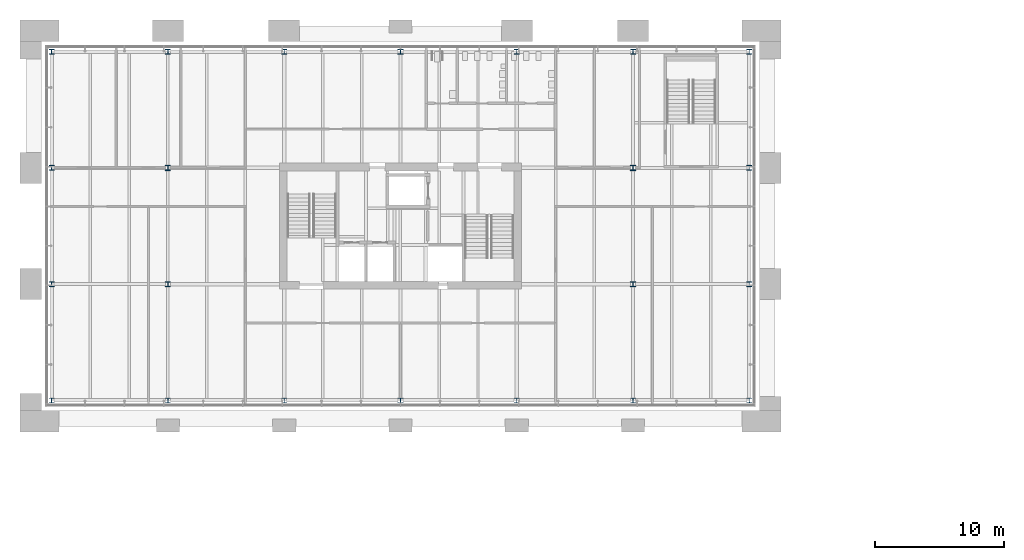
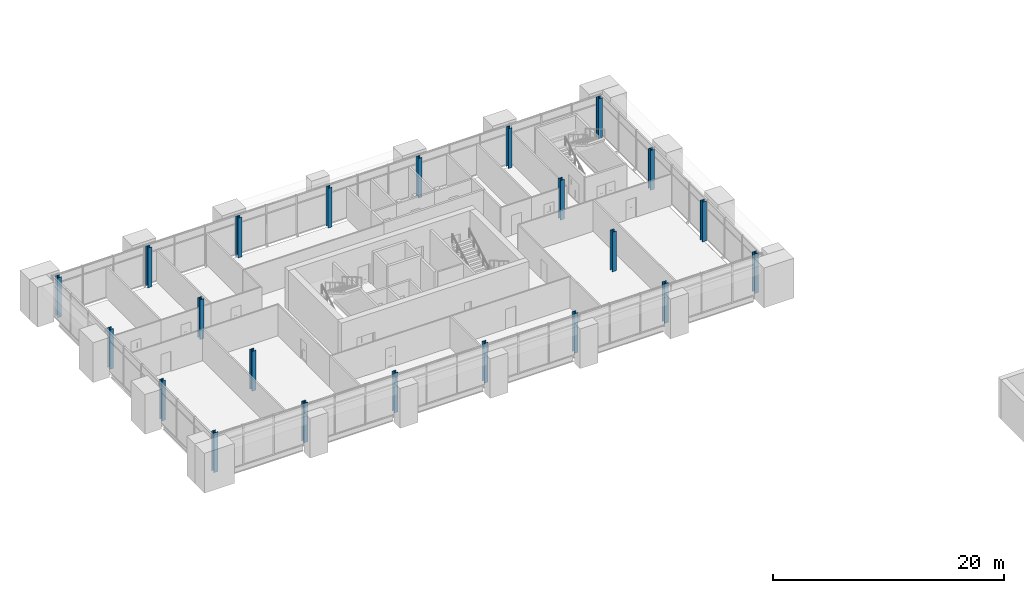
# One storey, part 2 of 43: 22 columns.
"""IFC4 building model written with IfcOpenShell, lengths in metres."""

from ifc_helpers import new_model, si_unit, direction, frame, origin, origin_2d, place, context, subcontext, project, spatial, i_section, extrude, material, material_profile, profile_set, type_object, element, save


model = new_model("IFC4")

# Units and contexts
model_context = context("Model", 3, precision=1e-05, world=origin(), true_north=direction((0.0, 1.0)))
body_context = subcontext(model_context, "Body", "Model", "MODEL_VIEW")
ifc_project = project(units=[si_unit("LENGTHUNIT", "METRE"), si_unit("AREAUNIT", "SQUARE_METRE"), si_unit("VOLUMEUNIT", "CUBIC_METRE"), si_unit("PLANEANGLEUNIT", "RADIAN"), si_unit("MASSUNIT", "GRAM", prefix="KILO")], contexts=[model_context])

# Site, building, storey
site_placement = place(None, origin())
site = spatial("IfcSite", under=ifc_project, at=site_placement, CompositionType="ELEMENT")
building_placement = place(site_placement, origin())
building = spatial("IfcBuilding", under=site, at=building_placement, Name="Baradari Gate Terminus", CompositionType="ELEMENT")
storey_placement = place(building_placement, frame((0.0, 0.0, 20.10009765625)))
storey = spatial("IfcBuildingStorey", under=building, at=storey_placement, Name="L04", CompositionType="ELEMENT", Elevation=20.10009765625)

# Columns
ifc_material_1 = material(Name="Steel S355", Category="steel")
ifc_material_profile_1 = material_profile(ifc_material_1, i_section(OverallWidth=0.403076171875, OverallDepth=0.406494140625, WebThickness=0.026611328125, FlangeThickness=0.04296875, FilletRadius=0.01513671875, at=origin_2d()), Name="UC 356x406x340")
ifc_profile_set_1 = profile_set([ifc_material_profile_1], Name="Steel S355")
column_type_1 = type_object("IfcColumnType", Name="Operations block column C19 UC 356x406x340", PredefinedType="COLUMN", material=ifc_profile_set_1)
for number, where, z_axis, x_axis, name in (
    (1, (18.0, 126.0, 0.0), (0.0, 0.0, 1.0), (1.0, 0.0, 0.0), "C19 column 3-Q L04"),
    (2, (18.0, 135.0, 0.0), (0.0, 0.0, 1.0), (1.0, 0.0, 0.0), "C19 column 3-R L04"),
    (3, (54.0, 126.0, 0.0), (0.0, 0.0, 1.0), (1.0, 0.0, 0.0), "C19 column 7-Q L04"),
    (4, (54.0, 135.0, 0.0), (0.0, 0.0, 1.0), (1.0, 0.0, 0.0), "C19 column 7-R L04"),
):
    element("IfcColumn", number, at=place(storey_placement, frame(where, z_axis=z_axis, x_axis=x_axis)), inside=storey, type_object=column_type_1, Name=name, PredefinedType="COLUMN", context=body_context, shape_type="SweptSolid", body=[
        extrude(i_section(OverallWidth=0.403076171875, OverallDepth=0.406494140625, WebThickness=0.026611328125, FlangeThickness=0.04296875, FilletRadius=0.01513671875, at=origin_2d()), origin(), (0.0, 0.0, 1.0), 4.199951171875),
    ])
ifc_material_2 = material(Name="Steel S355", Category="steel")
ifc_material_profile_2 = material_profile(ifc_material_2, i_section(OverallWidth=0.394775390625, OverallDepth=0.381103515625, WebThickness=0.018310546875, FlangeThickness=0.0302734375, FilletRadius=0.01513671875, at=origin_2d()), Name="UC 356x406x235")
ifc_profile_set_2 = profile_set([ifc_material_profile_2], Name="Steel S355")
column_type_2 = type_object("IfcColumnType", Name="Operations block perimeter column C18 UC 356x406x235", PredefinedType="COLUMN", material=ifc_profile_set_2)
for number, where, z_axis, x_axis, name in (
    (5, (9.0, 117.0, 0.0), (0.0, 0.0, 1.0), (1.0, 0.0, 0.0), "C18 column 2-P L04"),
    (6, (9.0, 126.0, 0.0), (0.0, 0.0, 1.0), (1.0, 0.0, 0.0), "C18 column 2-Q L04"),
    (7, (9.0, 135.0, 0.0), (0.0, 0.0, 1.0), (1.0, 0.0, 0.0), "C18 column 2-R L04"),
    (8, (9.0, 144.0, 0.0), (0.0, 0.0, 1.0), (1.0, 0.0, 0.0), "C18 column 2-S L04"),
    (9, (18.0, 117.0, 0.0), (0.0, 0.0, 1.0), (1.0, 0.0, 0.0), "C18 column 3-P L04"),
    (10, (18.0, 144.0, 0.0), (0.0, 0.0, 1.0), (1.0, 0.0, 0.0), "C18 column 3-S L04"),
    (11, (27.0, 117.0, 0.0), (0.0, 0.0, 1.0), (1.0, 0.0, 0.0), "C18 column 4-P L04"),
    (12, (27.0, 144.0, 0.0), (0.0, 0.0, 1.0), (1.0, 0.0, 0.0), "C18 column 4-S L04"),
    (13, (36.0, 117.0, 0.0), (0.0, 0.0, 1.0), (1.0, 0.0, 0.0), "C18 column 5-P L04"),
    (14, (36.0, 144.0, 0.0), (0.0, 0.0, 1.0), (1.0, 0.0, 0.0), "C18 column 5-S L04"),
    (15, (45.0, 117.0, 0.0), (0.0, 0.0, 1.0), (1.0, 0.0, 0.0), "C18 column 6-P L04"),
    (16, (45.0, 144.0, 0.0), (0.0, 0.0, 1.0), (1.0, 0.0, 0.0), "C18 column 6-S L04"),
    (17, (54.0, 117.0, 0.0), (0.0, 0.0, 1.0), (1.0, 0.0, 0.0), "C18 column 7-P L04"),
    (18, (54.0, 144.0, 0.0), (0.0, 0.0, 1.0), (1.0, 0.0, 0.0), "C18 column 7-S L04"),
    (19, (63.0, 117.0, 0.0), (0.0, 0.0, 1.0), (1.0, 0.0, 0.0), "C18 column 8-P L04"),
    (20, (63.0, 126.0, 0.0), (0.0, 0.0, 1.0), (1.0, 0.0, 0.0), "C18 column 8-Q L04"),
    (21, (63.0, 135.0, 0.0), (0.0, 0.0, 1.0), (1.0, 0.0, 0.0), "C18 column 8-R L04"),
    (22, (63.0, 144.0, 0.0), (0.0, 0.0, 1.0), (1.0, 0.0, 0.0), "C18 column 8-S L04"),
):
    element("IfcColumn", number, at=place(storey_placement, frame(where, z_axis=z_axis, x_axis=x_axis)), inside=storey, type_object=column_type_2, Name=name, PredefinedType="COLUMN", context=body_context, shape_type="SweptSolid", body=[
        extrude(i_section(OverallWidth=0.394775390625, OverallDepth=0.381103515625, WebThickness=0.018310546875, FlangeThickness=0.0302734375, FilletRadius=0.01513671875, at=origin_2d()), origin(), (0.0, 0.0, 1.0), 4.199951171875),
    ])

save(model, "model.ifc")
